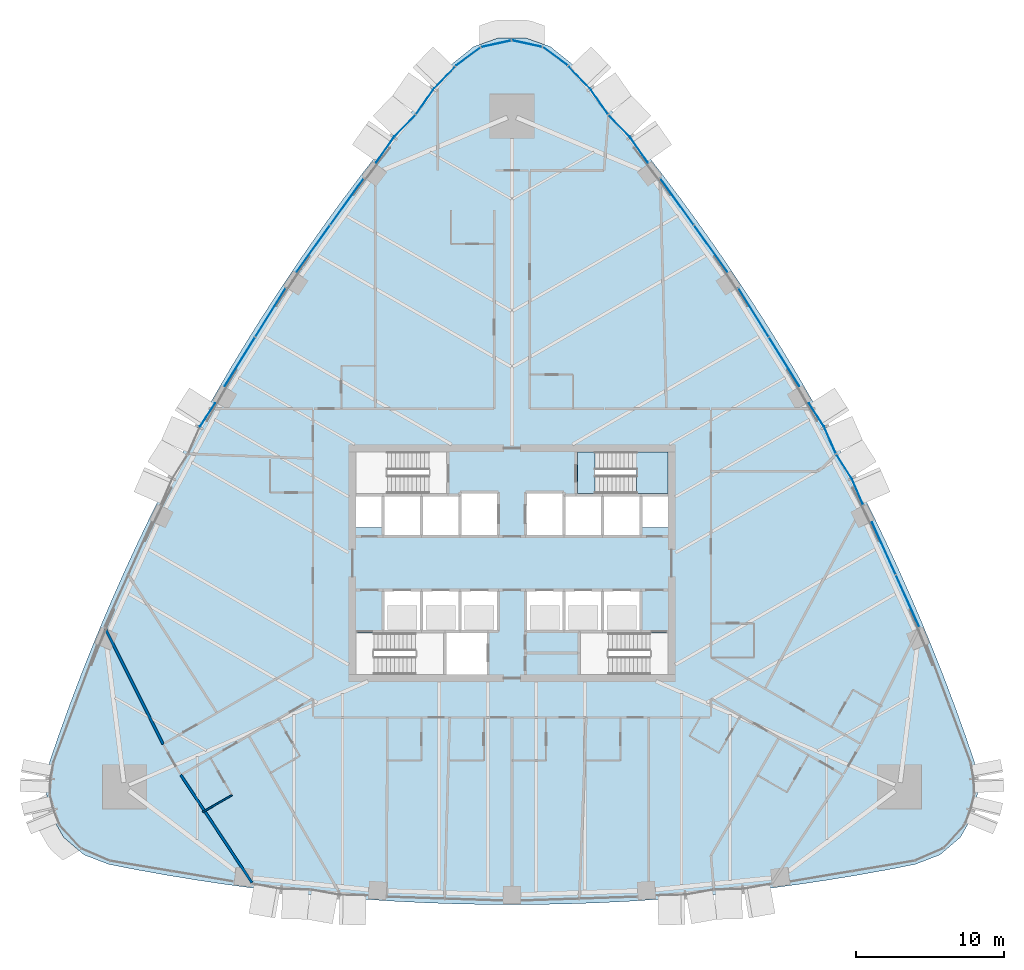
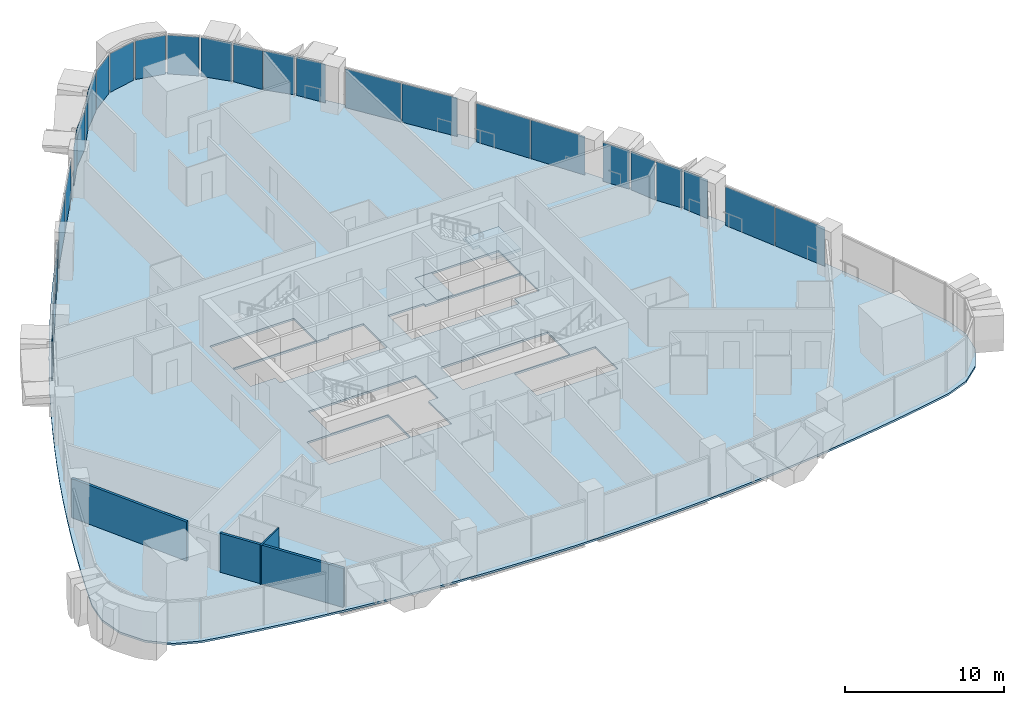
# One storey, part 9 of 18: 27 plates, 3 slabs, 3 walls, 14 elements without a shape of their own.
"""IFC4 building model written with IfcOpenShell, lengths in metres."""

from ifc_helpers import new_model, si_unit, direction, frame, frame_2d, origin, origin_2d, place, context, subcontext, project, spatial, polyline, rectangle, outline, extrude, material, layer, layer_set, type_object, element, aggregate, save


model = new_model("IFC4")

# Units and contexts
model_context = context("Model", 3, precision=1e-05, world=origin(), true_north=direction((0.0, 1.0)))
body_context = subcontext(model_context, "Body", "Model", "MODEL_VIEW")
ifc_project = project(units=[si_unit("LENGTHUNIT", "METRE"), si_unit("AREAUNIT", "SQUARE_METRE"), si_unit("VOLUMEUNIT", "CUBIC_METRE"), si_unit("PLANEANGLEUNIT", "RADIAN"), si_unit("MASSUNIT", "GRAM", prefix="KILO")], contexts=[model_context])

# Site, building, storey
site_placement = place(None, origin())
site = spatial("IfcSite", under=ifc_project, at=site_placement, CompositionType="ELEMENT")
building_placement = place(site_placement, origin())
building = spatial("IfcBuilding", under=site, at=building_placement, Name="Sierra Prisma Convention Tower", CompositionType="ELEMENT")
storey_placement = place(building_placement, frame((0.0, 0.0, 85.0)))
storey = spatial("IfcBuildingStorey", under=building, at=storey_placement, Name="L17", CompositionType="ELEMENT", Elevation=85.0)

# Curtain wall, plates
ifc_material_1 = material(Name="Aluminium and glass curtain wall", Category="aluminium")
ifc_layer_1 = layer(ifc_material_1, 0.179931640625)
ifc_layer_set_1 = layer_set([ifc_layer_1], Name="CW-1 Plain shaft curtain wall")
curtain_wall_type_1 = type_object("IfcCurtainWallType", Name="CW-1 Plain shaft curtain wall", PredefinedType="NOTDEFINED", material=ifc_layer_set_1)
curtain_wall_1_placement = place(storey_placement, origin())
curtain_wall_1 = element("IfcCurtainWall", 1, at=curtain_wall_1_placement, inside=storey, type_object=curtain_wall_type_1, Name="CW-1 NE2 L17", PredefinedType="NOTDEFINED")
ifc_material_2 = material(Name="Tinted glass bronze-grey IGU", Category="glass")
ifc_layer_2 = layer(ifc_material_2, 0.028076171875)
ifc_layer_set_2 = layer_set([ifc_layer_2], Name="CW-1 glass panel")
plate_type_1 = type_object("IfcPlateType", Name="CW-1 glass panel", PredefinedType="CURTAIN_PANEL", material=ifc_layer_set_2)
plate_1_placement = place(storey_placement, frame((26.64599609375, -2.547607421875, 0.0), z_axis=(0.0, 0.0, 1.0), x_axis=(-0.411458028296, 0.91142870865, 0.0)))
plate_1 = element("IfcPlate", 2, at=plate_1_placement, type_object=plate_type_1, Name="CW-1 panel NE2.1", PredefinedType="CURTAIN_PANEL", context=body_context, shape_type="SweptSolid", body=[
    extrude(rectangle(XDim=3.8203125, YDim=0.028076171875, at=origin_2d()), origin(), (0.0, 0.0, 1.0), 2.97998046875),
])
plate_2_placement = place(storey_placement, frame((25.045166015625, 0.998291015625, 0.0), z_axis=(0.0, 0.0, 1.0), x_axis=(-0.411458028296, 0.91142870865, 0.0)))
plate_2 = element("IfcPlate", 3, at=plate_2_placement, type_object=plate_type_1, Name="CW-1 panel NE2.2", PredefinedType="CURTAIN_PANEL", context=body_context, shape_type="SweptSolid", body=[
    extrude(rectangle(XDim=3.8203125, YDim=0.028076171875, at=origin_2d()), origin(), (0.0, 0.0, 1.0), 2.97998046875),
])
aggregate(curtain_wall_1, [plate_1, plate_2])

curtain_wall_2_placement = place(storey_placement, origin())
curtain_wall_2 = element("IfcCurtainWall", 4, at=curtain_wall_2_placement, inside=storey, type_object=curtain_wall_type_1, Name="CW-1 NE4 L17", PredefinedType="NOTDEFINED")
plate_3_placement = place(storey_placement, frame((18.331787109375, 13.57080078125, 0.0), z_axis=(0.0, 0.0, 1.0), x_axis=(-0.528455824923, 0.848960800688, 0.0)))
plate_3 = element("IfcPlate", 5, at=plate_3_placement, type_object=plate_type_1, Name="CW-1 panel NE4.1", PredefinedType="CURTAIN_PANEL", context=body_context, shape_type="SweptSolid", body=[
    extrude(rectangle(XDim=3.836669921875, YDim=0.028076171875, at=origin_2d()), origin(), (0.0, 0.0, 1.0), 2.97998046875),
])
plate_4_placement = place(storey_placement, frame((16.267333984375, 16.887451171875, 0.0), z_axis=(0.0, 0.0, 1.0), x_axis=(-0.528455824923, 0.848960800688, 0.0)))
plate_4 = element("IfcPlate", 6, at=plate_4_placement, type_object=plate_type_1, Name="CW-1 panel NE4.2", PredefinedType="CURTAIN_PANEL", context=body_context, shape_type="SweptSolid", body=[
    extrude(rectangle(XDim=3.836669921875, YDim=0.028076171875, at=origin_2d()), origin(), (0.0, 0.0, 1.0), 2.97998046875),
])
aggregate(curtain_wall_2, [plate_3, plate_4])

curtain_wall_3_placement = place(storey_placement, origin())
curtain_wall_3 = element("IfcCurtainWall", 7, at=curtain_wall_3_placement, inside=storey, type_object=curtain_wall_type_1, Name="CW-1 NE5 L17", PredefinedType="NOTDEFINED")
plate_5_placement = place(storey_placement, frame((13.386962890625, 21.191162109375, 0.0), z_axis=(0.0, 0.0, 1.0), x_axis=(-0.583591401281, 0.81204745942, 0.0)))
plate_5 = element("IfcPlate", 8, at=plate_5_placement, type_object=plate_type_1, Name="CW-1 panel NE5.1", PredefinedType="CURTAIN_PANEL", context=body_context, shape_type="SweptSolid", body=[
    extrude(rectangle(XDim=3.821044921875, YDim=0.028076171875, at=origin_2d()), origin(), (0.0, 0.0, 1.0), 2.97998046875),
])
plate_6_placement = place(storey_placement, frame((11.115966796875, 24.350830078125, 0.0), z_axis=(0.0, 0.0, 1.0), x_axis=(-0.583591401281, 0.81204745942, 0.0)))
plate_6 = element("IfcPlate", 9, at=plate_6_placement, type_object=plate_type_1, Name="CW-1 panel NE5.2", PredefinedType="CURTAIN_PANEL", context=body_context, shape_type="SweptSolid", body=[
    extrude(rectangle(XDim=3.821044921875, YDim=0.028076171875, at=origin_2d()), origin(), (0.0, 0.0, 1.0), 2.97998046875),
])
aggregate(curtain_wall_3, [plate_5, plate_6])

# Curtain wall, plate
curtain_wall_4_placement = place(storey_placement, origin())
curtain_wall_4 = element("IfcCurtainWall", 10, at=curtain_wall_4_placement, inside=storey, type_object=curtain_wall_type_1, Name="CW-1 N1 L17", PredefinedType="NOTDEFINED")
plate_7_placement = place(storey_placement, frame((2.941162109375, 34.1328125, 0.0), z_axis=(0.0, 0.0, 1.0), x_axis=(-0.804430711536, 0.594046488365, 0.0)))
plate_7 = element("IfcPlate", 11, at=plate_7_placement, type_object=plate_type_1, Name="CW-1 panel N1.1", PredefinedType="CURTAIN_PANEL", context=body_context, shape_type="SweptSolid", body=[
    extrude(rectangle(XDim=1.991455078125, YDim=0.028076171875, at=origin_2d()), origin(), (0.0, 0.0, 1.0), 2.97998046875),
])
aggregate(curtain_wall_4, [plate_7])

curtain_wall_5_placement = place(storey_placement, origin())
curtain_wall_5 = element("IfcCurtainWall", 12, at=curtain_wall_5_placement, inside=storey, type_object=curtain_wall_type_1, Name="CW-1 N2 L17", PredefinedType="NOTDEFINED")
plate_8_placement = place(storey_placement, frame((1.0419921875, 34.989990234375, 0.0), z_axis=(0.0, 0.0, 1.0), x_axis=(-0.977606441432, 0.210441549299, 0.0)))
plate_8 = element("IfcPlate", 13, at=plate_8_placement, type_object=plate_type_1, Name="CW-1 panel N2.1", PredefinedType="CURTAIN_PANEL", context=body_context, shape_type="SweptSolid", body=[
    extrude(rectangle(XDim=1.991455078125, YDim=0.028076171875, at=origin_2d()), origin(), (0.0, 0.0, 1.0), 2.97998046875),
])
aggregate(curtain_wall_5, [plate_8])

curtain_wall_6_placement = place(storey_placement, origin())
curtain_wall_6 = element("IfcCurtainWall", 14, at=curtain_wall_6_placement, inside=storey, type_object=curtain_wall_type_1, Name="CW-1 N3 L17", PredefinedType="NOTDEFINED")
plate_9_placement = place(storey_placement, frame((-1.0419921875, 34.989990234375, 0.0), z_axis=(0.0, 0.0, 1.0), x_axis=(-0.977606441432, -0.210441549299, 0.0)))
plate_9 = element("IfcPlate", 15, at=plate_9_placement, type_object=plate_type_1, Name="CW-1 panel N3.1", PredefinedType="CURTAIN_PANEL", context=body_context, shape_type="SweptSolid", body=[
    extrude(rectangle(XDim=1.991455078125, YDim=0.028076171875, at=origin_2d()), origin(), (0.0, 0.0, 1.0), 2.97998046875),
])
aggregate(curtain_wall_6, [plate_9])

curtain_wall_7_placement = place(storey_placement, origin())
curtain_wall_7 = element("IfcCurtainWall", 16, at=curtain_wall_7_placement, inside=storey, type_object=curtain_wall_type_1, Name="CW-1 N4 L17", PredefinedType="NOTDEFINED")
plate_10_placement = place(storey_placement, frame((-2.941162109375, 34.1328125, 0.0), z_axis=(0.0, 0.0, 1.0), x_axis=(-0.804430711536, -0.594046488365, 0.0)))
plate_10 = element("IfcPlate", 17, at=plate_10_placement, type_object=plate_type_1, Name="CW-1 panel N4.1", PredefinedType="CURTAIN_PANEL", context=body_context, shape_type="SweptSolid", body=[
    extrude(rectangle(XDim=1.991455078125, YDim=0.028076171875, at=origin_2d()), origin(), (0.0, 0.0, 1.0), 2.97998046875),
])
aggregate(curtain_wall_7, [plate_10])

# Curtain wall, plates
curtain_wall_8_placement = place(storey_placement, origin())
curtain_wall_8 = element("IfcCurtainWall", 18, at=curtain_wall_8_placement, inside=storey, type_object=curtain_wall_type_1, Name="CW-1 NW2 L17", PredefinedType="NOTDEFINED")
plate_11_placement = place(storey_placement, frame((-11.116943359375, 24.349609375, 0.0), z_axis=(0.0, 0.0, 1.0), x_axis=(-0.583591401281, -0.81204745942, 0.0)))
plate_11 = element("IfcPlate", 19, at=plate_11_placement, type_object=plate_type_1, Name="CW-1 panel NW2.1", PredefinedType="CURTAIN_PANEL", context=body_context, shape_type="SweptSolid", body=[
    extrude(rectangle(XDim=3.8203125, YDim=0.028076171875, at=origin_2d()), origin(), (0.0, 0.0, 1.0), 2.97998046875),
])
plate_12_placement = place(storey_placement, frame((-13.38720703125, 21.190673828125, 0.0), z_axis=(0.0, 0.0, 1.0), x_axis=(-0.583591401281, -0.81204745942, 0.0)))
plate_12 = element("IfcPlate", 20, at=plate_12_placement, type_object=plate_type_1, Name="CW-1 panel NW2.2", PredefinedType="CURTAIN_PANEL", context=body_context, shape_type="SweptSolid", body=[
    extrude(rectangle(XDim=3.8203125, YDim=0.028076171875, at=origin_2d()), origin(), (0.0, 0.0, 1.0), 2.97998046875),
])
aggregate(curtain_wall_8, [plate_11, plate_12])

curtain_wall_9_placement = place(storey_placement, origin())
curtain_wall_9 = element("IfcCurtainWall", 21, at=curtain_wall_9_placement, inside=storey, type_object=curtain_wall_type_1, Name="CW-1 NW3 L17", PredefinedType="NOTDEFINED")
plate_13_placement = place(storey_placement, frame((-16.267578125, 16.88720703125, 0.0), z_axis=(0.0, 0.0, 1.0), x_axis=(-0.528455824923, -0.848960800688, 0.0)))
plate_13 = element("IfcPlate", 22, at=plate_13_placement, type_object=plate_type_1, Name="CW-1 panel NW3.1", PredefinedType="CURTAIN_PANEL", context=body_context, shape_type="SweptSolid", body=[
    extrude(rectangle(XDim=3.83642578125, YDim=0.028076171875, at=origin_2d()), origin(), (0.0, 0.0, 1.0), 2.97998046875),
])
plate_14_placement = place(storey_placement, frame((-18.331787109375, 13.57080078125, 0.0), z_axis=(0.0, 0.0, 1.0), x_axis=(-0.528455824923, -0.848960800688, 0.0)))
plate_14 = element("IfcPlate", 23, at=plate_14_placement, type_object=plate_type_1, Name="CW-1 panel NW3.2", PredefinedType="CURTAIN_PANEL", context=body_context, shape_type="SweptSolid", body=[
    extrude(rectangle(XDim=3.83642578125, YDim=0.028076171875, at=origin_2d()), origin(), (0.0, 0.0, 1.0), 2.97998046875),
])
aggregate(curtain_wall_9, [plate_13, plate_14])

ifc_material_3 = material(Name="Aluminium and glass curtain wall", Category="aluminium")
ifc_layer_3 = layer(ifc_material_3, 0.179931640625)
ifc_layer_set_3 = layer_set([ifc_layer_3], Name="CW-2 Faceted crystal curtain wall")
curtain_wall_type_2 = type_object("IfcCurtainWallType", Name="CW-2 Faceted crystal curtain wall", PredefinedType="NOTDEFINED", material=ifc_layer_set_3)
curtain_wall_10_placement = place(storey_placement, origin())
curtain_wall_10 = element("IfcCurtainWall", 24, at=curtain_wall_10_placement, inside=storey, type_object=curtain_wall_type_2, Name="CW-2 NE3 L17", PredefinedType="NOTDEFINED")
ifc_material_4 = material(Name="Tinted glass bronze-grey IGU", Category="glass")
ifc_layer_4 = layer(ifc_material_4, 0.028076171875)
ifc_layer_set_4 = layer_set([ifc_layer_4], Name="CW-2 crystal pane")
plate_type_2 = type_object("IfcPlateType", Name="CW-2 crystal pane", PredefinedType="CURTAIN_PANEL", material=ifc_layer_set_4)
plate_15_placement = place(storey_placement, frame((23.662109375, 3.9521484375, 0.0), z_axis=(0.916344095845, 0.400391680744, 0.0), x_axis=(-0.400391680744, 0.916344095845, 0.0)))
plate_15 = element("IfcPlate", 25, at=plate_15_placement, type_object=plate_type_2, Name="CW-2 pane NE3.1.1", PredefinedType="CURTAIN_PANEL", context=body_context, shape_type="SweptSolid", body=[
    extrude(outline(polyline([(0.0, 0.0), (1.8591414393063208, 0.0), (1.8591414393063208, 2.97998046875), (0.0, 2.97998046875), (0.0, 0.0)])), origin(), (0.0, 0.0, -1.0), 0.028076171875),
])
plate_16_placement = place(storey_placement, frame((21.855224609375, 7.33642578125, 0.0), z_axis=(0.842485994614, 0.538718246283, 0.0), x_axis=(0.538718246283, -0.842485994614, 0.0)))
plate_16 = element("IfcPlate", 26, at=plate_16_placement, type_object=plate_type_2, Name="CW-2 pane NE3.1.2", PredefinedType="CURTAIN_PANEL", context=body_context, shape_type="SweptSolid", body=[
    extrude(outline(polyline([(0.0, 0.0), (1.8589770267835912, 0.0), (1.8589770267835912, -2.97998046875), (0.0, -2.97998046875), (0.0, 0.0)])), origin(), (0.0, 0.0, -1.0), 0.028076171875),
])
plate_17_placement = place(storey_placement, frame((21.822021484375, 7.398193359375, 0.0), z_axis=(0.916392272238, 0.400281405242, 0.0), x_axis=(-0.400281405242, 0.916392272238, 0.0)))
plate_17 = element("IfcPlate", 27, at=plate_17_placement, type_object=plate_type_2, Name="CW-2 pane NE3.2.1", PredefinedType="CURTAIN_PANEL", context=body_context, shape_type="SweptSolid", body=[
    extrude(outline(polyline([(0.0, 0.0), (1.8590437008921503, 0.0), (1.8590437008921503, 2.9799804687500004), (0.0, 2.9799804687500004), (0.0, 0.0)])), origin(), (0.0, 0.0, -1.0), 0.028076171875),
])
plate_18_placement = place(storey_placement, frame((20.01513671875, 10.782470703125, 0.0), z_axis=(0.842426387617, 0.538811452594, 0.0), x_axis=(0.538811452594, -0.842426387617, 0.0)))
plate_18 = element("IfcPlate", 28, at=plate_18_placement, type_object=plate_type_2, Name="CW-2 pane NE3.2.2", PredefinedType="CURTAIN_PANEL", context=body_context, shape_type="SweptSolid", body=[
    extrude(outline(polyline([(0.0, 0.0), (1.8591085611710638, 0.0), (1.8591085611710638, -2.97998046875), (0.0, -2.97998046875), (0.0, 0.0)])), origin(), (0.0, 0.0, -1.0), 0.028076171875),
])
aggregate(curtain_wall_10, [plate_15, plate_16, plate_17, plate_18])

curtain_wall_11_placement = place(storey_placement, origin())
curtain_wall_11 = element("IfcCurtainWall", 29, at=curtain_wall_11_placement, inside=storey, type_object=curtain_wall_type_2, Name="CW-2 NE6 L17", PredefinedType="NOTDEFINED")
plate_19_placement = place(storey_placement, frame((9.158447265625, 26.99853515625, 0.0), z_axis=(0.819106553991, 0.573641397746, 0.0), x_axis=(-0.573641397746, 0.819106553991, 0.0)))
plate_19 = element("IfcPlate", 30, at=plate_19_placement, type_object=plate_type_2, Name="CW-2 pane NE6.1.1", PredefinedType="CURTAIN_PANEL", context=body_context, shape_type="SweptSolid", body=[
    extrude(outline(polyline([(0.0, 0.0), (2.013078485595199, 0.0), (2.013078485595199, 2.97998046875), (0.0, 2.97998046875), (0.0, 0.0)])), origin(), (0.0, 0.0, -1.0), 0.028076171875),
])
plate_20_placement = place(storey_placement, frame((6.52294921875, 30.195068359375, 0.0), z_axis=(0.719250969231, 0.694750345995, 0.0), x_axis=(0.694750345995, -0.719250969231, 0.0)))
plate_20 = element("IfcPlate", 31, at=plate_20_placement, type_object=plate_type_2, Name="CW-2 pane NE6.1.2", PredefinedType="CURTAIN_PANEL", context=body_context, shape_type="SweptSolid", body=[
    extrude(outline(polyline([(0.0, 0.0), (2.0128633372557574, 0.0), (2.0128633372557574, -2.97998046875), (0.0, -2.97998046875), (0.0, 0.0)])), origin(), (0.0, 0.0, -1.0), 0.028076171875),
])
plate_21_placement = place(storey_placement, frame((6.478515625, 30.2490234375, 0.0), z_axis=(0.819066640012, 0.573698386977, 0.0), x_axis=(-0.573698386977, 0.819066640012, 0.0)))
plate_21 = element("IfcPlate", 32, at=plate_21_placement, type_object=plate_type_2, Name="CW-2 pane NE6.2.1", PredefinedType="CURTAIN_PANEL", context=body_context, shape_type="SweptSolid", body=[
    extrude(outline(polyline([(0.0, 0.0), (2.012878513281236, 0.0), (2.012878513281236, 2.97998046875), (0.0, 2.97998046875), (0.0, 0.0)])), origin(), (0.0, 0.0, -1.0), 0.028076171875),
])
plate_22_placement = place(storey_placement, frame((3.8427734375, 33.445556640625, 0.0), z_axis=(0.719250969231, 0.694750345995, 0.0), x_axis=(0.694750345995, -0.719250969231, 0.0)))
plate_22 = element("IfcPlate", 33, at=plate_22_placement, type_object=plate_type_2, Name="CW-2 pane NE6.2.2", PredefinedType="CURTAIN_PANEL", context=body_context, shape_type="SweptSolid", body=[
    extrude(outline(polyline([(0.0, 0.0), (2.0128633372557574, 0.0), (2.0128633372557574, -2.97998046875), (0.0, -2.97998046875), (0.0, 0.0)])), origin(), (0.0, 0.0, -1.0), 0.028076171875),
])
aggregate(curtain_wall_11, [plate_19, plate_20, plate_21, plate_22])

curtain_wall_12_placement = place(storey_placement, origin())
curtain_wall_12 = element("IfcCurtainWall", 34, at=curtain_wall_12_placement, inside=storey, type_object=curtain_wall_type_2, Name="CW-2 NW1 L17", PredefinedType="NOTDEFINED")
plate_23_placement = place(storey_placement, frame((-3.8427734375, 33.445556640625, 0.0), z_axis=(-0.719250969231, 0.694750345995, 0.0), x_axis=(-0.694750345995, -0.719250969231, 0.0)))
plate_23 = element("IfcPlate", 35, at=plate_23_placement, type_object=plate_type_2, Name="CW-2 pane NW1.1.1", PredefinedType="CURTAIN_PANEL", context=body_context, shape_type="SweptSolid", body=[
    extrude(outline(polyline([(0.0, 0.0), (2.0128633372557574, 0.0), (2.0128633372557574, 2.97998046875), (0.0, 2.97998046875), (0.0, 0.0)])), origin(), (0.0, 0.0, -1.0), 0.028076171875),
])
plate_24_placement = place(storey_placement, frame((-6.478515625, 30.2490234375, 0.0), z_axis=(-0.819066640012, 0.573698386977, 0.0), x_axis=(0.573698386977, 0.819066640012, 0.0)))
plate_24 = element("IfcPlate", 36, at=plate_24_placement, type_object=plate_type_2, Name="CW-2 pane NW1.1.2", PredefinedType="CURTAIN_PANEL", context=body_context, shape_type="SweptSolid", body=[
    extrude(outline(polyline([(0.0, 0.0), (2.012878513281236, 0.0), (2.012878513281236, -2.97998046875), (0.0, -2.97998046875), (0.0, 0.0)])), origin(), (0.0, 0.0, -1.0), 0.028076171875),
])
plate_25_placement = place(storey_placement, frame((-6.52294921875, 30.195068359375, 0.0), z_axis=(-0.719250969231, 0.694750345995, 0.0), x_axis=(-0.694750345995, -0.719250969231, 0.0)))
plate_25 = element("IfcPlate", 37, at=plate_25_placement, type_object=plate_type_2, Name="CW-2 pane NW1.2.1", PredefinedType="CURTAIN_PANEL", context=body_context, shape_type="SweptSolid", body=[
    extrude(outline(polyline([(0.0, 0.0), (2.0128633372557574, 0.0), (2.0128633372557574, 2.97998046875), (0.0, 2.97998046875), (0.0, 0.0)])), origin(), (0.0, 0.0, -1.0), 0.028076171875),
])
plate_26_placement = place(storey_placement, frame((-9.158447265625, 26.99853515625, 0.0), z_axis=(-0.819106553991, 0.573641397746, 0.0), x_axis=(0.573641397746, 0.819106553991, 0.0)))
plate_26 = element("IfcPlate", 38, at=plate_26_placement, type_object=plate_type_2, Name="CW-2 pane NW1.2.2", PredefinedType="CURTAIN_PANEL", context=body_context, shape_type="SweptSolid", body=[
    extrude(outline(polyline([(0.0, 0.0), (2.013078485595199, 0.0), (2.013078485595199, -2.97998046875), (0.0, -2.97998046875), (0.0, 0.0)])), origin(), (0.0, 0.0, -1.0), 0.028076171875),
])
aggregate(curtain_wall_12, [plate_23, plate_24, plate_25, plate_26])

# Curtain wall, plate
curtain_wall_13_placement = place(storey_placement, origin())
curtain_wall_13 = element("IfcCurtainWall", 39, at=curtain_wall_13_placement, inside=storey, type_object=curtain_wall_type_2, Name="CW-2 NW4 L17", PredefinedType="NOTDEFINED")
plate_27_placement = place(storey_placement, frame((-20.01513671875, 10.782470703125, 0.0), z_axis=(-0.842426387617, 0.538811452594, 0.0), x_axis=(-0.538811452594, -0.842426387617, 0.0)))
plate_27 = element("IfcPlate", 40, at=plate_27_placement, type_object=plate_type_2, Name="CW-2 pane NW4.1.1", PredefinedType="CURTAIN_PANEL", context=body_context, shape_type="SweptSolid", body=[
    extrude(outline(polyline([(0.0, 0.0), (1.8591085611710638, 0.0), (1.8591085611710638, 2.97998046875), (0.0, 2.97998046875), (0.0, 0.0)])), origin(), (0.0, 0.0, -1.0), 0.028076171875),
])
aggregate(curtain_wall_13, [plate_27])

# Slab
ifc_material_5 = material(Name="Concrete C35/45", Category="concrete")
ifc_layer_5 = layer(ifc_material_5, 0.14990234375)
ifc_layer_set_5 = layer_set([ifc_layer_5], Name="Composite floor slab 150")
slab_type_1 = type_object("IfcSlabType", Name="Composite floor slab 150", PredefinedType="FLOOR", material=ifc_layer_set_5)
slab_1_placement = place(storey_placement, frame((0.0, 0.0, -0.14990234375)))
element("IfcSlab", 41, at=slab_1_placement, inside=storey, type_object=slab_type_1, Name="Floor slab L17 floor", PredefinedType="FLOOR", context=body_context, shape_type="SweptSolid", body=[
    extrude(outline(polyline([(-27.161865234375, -20.284423828125), (-25.24462890625, -20.656982421875), (-23.322509765625, -21.002197265625), (-21.3955078125, -21.3203125), (-19.46435546875, -21.61083984375), (-17.529052734375, -21.873779296875), (-15.59033203125, -22.109375), (-13.6484375, -22.317138671875), (-11.703857421875, -22.49755859375), (-9.7568359375, -22.650146484375), (-7.807861328125, -22.77490234375), (-5.857177734375, -22.8720703125), (-3.905517578125, -22.941650390625), (-1.952880859375, -22.983154296875), (0.0, -22.9970703125), (1.952880859375, -22.983154296875), (3.905517578125, -22.941650390625), (5.857177734375, -22.8720703125), (7.807861328125, -22.77490234375), (9.7568359375, -22.650146484375), (11.703857421875, -22.49755859375), (13.6484375, -22.317138671875), (15.59033203125, -22.109375), (17.529052734375, -21.873779296875), (19.46435546875, -21.61083984375), (21.3955078125, -21.3203125), (23.322509765625, -21.002197265625), (25.24462890625, -20.656982421875), (27.161865234375, -20.284423828125), (28.83544921875, -19.6376953125), (30.198486328125, -18.470947265625), (31.095458984375, -16.917236328125), (31.42431640625, -15.1533203125), (31.147705078125, -13.380615234375), (30.51171875, -11.533935546875), (29.849853515625, -9.69677734375), (29.16162109375, -7.868896484375), (28.44775390625, -6.051025390625), (27.707763671875, -4.24365234375), (26.9423828125, -2.447021484375), (26.151611328125, -0.661376953125), (25.33544921875, 1.113037109375), (24.493896484375, 2.87548828125), (23.627685546875, 4.625732421875), (22.736572265625, 6.363525390625), (21.82080078125, 8.088623046875), (20.880615234375, 9.80029296875), (19.916015625, 11.49853515625), (18.927734375, 13.182861328125), (17.915283203125, 14.85302734375), (16.87939453125, 16.508544921875), (15.81982421875, 18.149169921875), (14.7373046875, 19.774658203125), (13.631591796875, 21.384521484375), (12.503173828125, 22.978515625), (11.35205078125, 24.556396484375), (10.1787109375, 26.11767578125), (8.9833984375, 27.661865234375), (7.76611328125, 29.189208984375), (6.52734375, 30.698974609375), (5.26708984375, 32.19091796875), (3.98583984375, 33.6650390625), (2.589111328125, 34.791015625), (0.897216796875, 35.38818359375), (-0.897216796875, 35.38818359375), (-2.589111328125, 34.791015625), (-3.98583984375, 33.6650390625), (-5.26708984375, 32.19091796875), (-6.52734375, 30.698974609375), (-7.76611328125, 29.189208984375), (-8.9833984375, 27.661865234375), (-10.1787109375, 26.11767578125), (-11.35205078125, 24.556396484375), (-12.503173828125, 22.978515625), (-13.631591796875, 21.384521484375), (-14.7373046875, 19.774658203125), (-15.81982421875, 18.149169921875), (-16.87939453125, 16.508544921875), (-17.915283203125, 14.85302734375), (-18.927734375, 13.182861328125), (-19.916015625, 11.49853515625), (-20.880615234375, 9.80029296875), (-21.82080078125, 8.088623046875), (-22.736572265625, 6.363525390625), (-23.627685546875, 4.625732421875), (-24.493896484375, 2.87548828125), (-25.33544921875, 1.113037109375), (-26.151611328125, -0.661376953125), (-26.9423828125, -2.447021484375), (-27.707763671875, -4.24365234375), (-28.44775390625, -6.051025390625), (-29.16162109375, -7.868896484375), (-29.849853515625, -9.69677734375), (-30.51171875, -11.533935546875), (-31.147705078125, -13.380615234375), (-31.42431640625, -15.1533203125), (-31.095458984375, -16.917236328125), (-30.198486328125, -18.470947265625), (-28.83544921875, -19.6376953125), (-27.161865234375, -20.284423828125)]), holes=[polyline([(-4.60009765625, -7.5), (-10.5, -7.5), (-10.5, -4.699951171875), (-4.60009765625, -4.699951171875), (-4.60009765625, -7.5)]), polyline([(-8.699951171875, -4.60009765625), (-8.699951171875, -1.800048828125), (-6.10009765625, -1.800048828125), (-3.5, -1.800048828125), (-0.89990234375, -1.800048828125), (-0.89990234375, -4.60009765625), (-1.60009765625, -4.60009765625), (-1.60009765625, -7.5), (-4.5, -7.5), (-4.5, -4.60009765625), (-6.10009765625, -4.60009765625), (-8.699951171875, -4.60009765625)]), polyline([(-10.5, 4.60009765625), (-8.699951171875, 4.60009765625), (-6.10009765625, 4.60009765625), (-3.5, 4.60009765625), (-3.5, 4.800048828125), (-0.89990234375, 4.800048828125), (-0.89990234375, 1.800048828125), (-3.5, 1.800048828125), (-6.10009765625, 1.800048828125), (-8.699951171875, 1.800048828125), (-8.699951171875, 2.39990234375), (-10.5, 2.39990234375), (-10.5, 4.60009765625)]), polyline([(-4.39990234375, 4.699951171875), (-10.5, 4.699951171875), (-10.5, 7.5), (-4.39990234375, 7.5), (-4.39990234375, 4.699951171875)]), polyline([(10.5, -7.5), (4.60009765625, -7.5), (4.60009765625, -4.699951171875), (10.5, -4.699951171875), (10.5, -7.5)]), polyline([(6.10009765625, -1.800048828125), (8.699951171875, -1.800048828125), (8.699951171875, -4.60009765625), (6.10009765625, -4.60009765625), (3.5, -4.60009765625), (0.89990234375, -4.60009765625), (0.89990234375, -1.800048828125), (3.5, -1.800048828125), (6.10009765625, -1.800048828125)]), polyline([(10.5, 4.60009765625), (10.5, 2.39990234375), (8.699951171875, 2.39990234375), (8.699951171875, 1.800048828125), (6.10009765625, 1.800048828125), (3.5, 1.800048828125), (0.89990234375, 1.800048828125), (0.89990234375, 4.800048828125), (3.5, 4.800048828125), (3.5, 4.60009765625), (6.10009765625, 4.60009765625), (8.699951171875, 4.60009765625), (10.5, 4.60009765625)]), polyline([(4.39990234375, 4.699951171875), (4.39990234375, 7.5), (10.5, 7.5), (10.5, 4.699951171875), (4.39990234375, 4.699951171875)])]), origin(), (0.0, 0.0, 1.0), 0.14990234375),
])

# Stair, slab
ifc_material_6 = material(Name="Concrete C30/37", Category="concrete")
stair_type = type_object("IfcStairType", Name="Stair dog-leg 1200 RC", PredefinedType="HALF_TURN_STAIR", material=ifc_material_6)
stair_placement = place(storey_placement, origin())
stair = element("IfcStair", 42, at=stair_placement, inside=storey, type_object=stair_type, Name="L17 S4", PredefinedType="HALF_TURN_STAIR")
ifc_material_7 = material(Name="Concrete C35/45", Category="concrete")
ifc_layer_6 = layer(ifc_material_7, 0.199951171875)
ifc_layer_set_6 = layer_set([ifc_layer_6], Name="Stair landing slab")
slab_type_2 = type_object("IfcSlabType", Name="Stair landing slab", PredefinedType="LANDING", material=ifc_layer_set_6)
slab_2_placement = place(storey_placement, frame((0.0, 0.0, 1.64990234375)))
slab_2 = element("IfcSlab", 43, at=slab_2_placement, type_object=slab_type_2, Name="S4 landing 1", PredefinedType="LANDING", context=body_context, shape_type="SweptSolid", body=[
    extrude(outline(polyline([(10.5, 7.5), (10.5, 4.699951171875), (8.39794921875, 4.699951171875), (8.39794921875, 6.300048828125), (7.949951171875, 6.300048828125), (7.949951171875, 7.5), (10.5, 7.5)])), origin(), (0.0, 0.0, 1.0), 0.2001953125),
])
aggregate(stair, [slab_2])

# Slab
slab_3_placement = place(storey_placement, frame((0.0, 0.0, -0.199951171875)))
element("IfcSlab", 44, at=slab_3_placement, inside=storey, type_object=slab_type_2, Name="S4 floor landing L17", PredefinedType="LANDING", context=body_context, shape_type="SweptSolid", body=[
    extrude(outline(polyline([(4.39990234375, 4.699951171875), (5.60205078125, 4.699951171875), (5.60205078125, 7.5), (4.39990234375, 7.5), (4.39990234375, 4.699951171875)])), origin(), (0.0, 0.0, 1.0), 0.199951171875),
])

# Walls
ifc_material_8 = material(Name="Gypsum board partition", Category="gypsum")
ifc_layer_7 = layer(ifc_material_8, 0.10009765625)
ifc_layer_set_7 = layer_set([ifc_layer_7], Name="Bathroom partition 100")
wall_type_1 = type_object("IfcWallType", Name="Bathroom partition 100", PredefinedType="PARTITIONING", material=ifc_layer_set_7)
wall_1_placement = place(storey_placement, frame((-18.864501953125, -15.625732421875, 0.0), z_axis=(0.0, 0.0, 1.0), x_axis=(-0.866017224141, -0.500014167291, 0.0)))
element("IfcWall", 45, at=wall_1_placement, inside=storey, type_object=wall_type_1, Name="Partition L17 bath 2", PredefinedType="PARTITIONING", context=body_context, shape_type="SweptSolid", body=[
    extrude(rectangle(XDim=2.27001953125, YDim=0.10009765625, at=frame_2d((1.135009765625, 0.0))), origin(), (0.0, 0.0, 1.0), 3.0),
])
ifc_material_9 = material(Name="Acoustic gypsum board partition", Category="gypsum")
ifc_layer_8 = layer(ifc_material_9, 0.175048828125)
ifc_layer_set_8 = layer_set([ifc_layer_8], Name="Guest room party wall 175 acoustic EI 60")
wall_type_2 = type_object("IfcWallType", Name="Guest room party wall 175 acoustic EI 60", PredefinedType="PARTITIONING", material=ifc_layer_set_8)
wall_2_placement = place(storey_placement, frame((-23.50634765625, -12.185791015625, 0.0), z_axis=(0.0, 0.0, 1.0), x_axis=(-0.447247279783, 0.894410348066, 0.0)))
element("IfcWall", 46, at=wall_2_placement, inside=storey, type_object=wall_type_2, Name="Partition L17 hparty 1", PredefinedType="PARTITIONING", context=body_context, shape_type="SweptSolid", body=[
    extrude(rectangle(XDim=8.697509765625, YDim=0.175048828125, at=frame_2d((4.3486328125, 0.0))), origin(), (0.0, 0.0, 1.0), 3.0),
])
wall_3_placement = place(storey_placement, frame((-17.514404296875, -21.5224609375, 0.0), z_axis=(0.0, 0.0, 1.0), x_axis=(-0.5509763379, 0.834520865571, 0.0)))
element("IfcWall", 47, at=wall_3_placement, inside=storey, type_object=wall_type_2, Name="Partition L17 hparty 3", PredefinedType="PARTITIONING", context=body_context, shape_type="SweptSolid", body=[
    extrude(rectangle(XDim=8.697265625, YDim=0.175048828125, at=frame_2d((4.3486328125, 0.0))), origin(), (0.0, 0.0, 1.0), 3.0),
])

save(model, "model.ifc")
